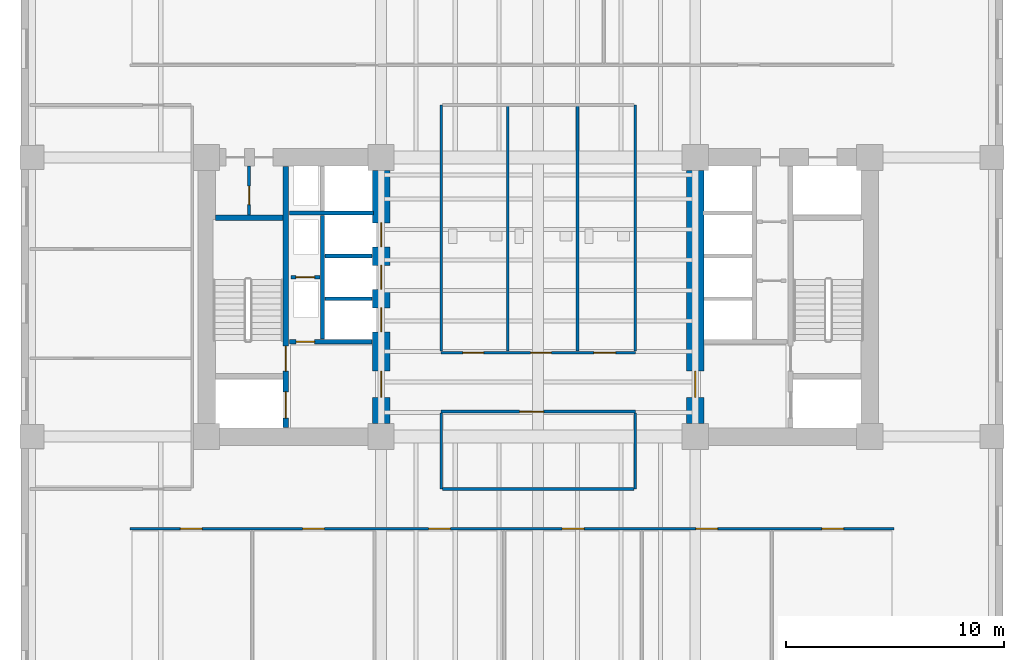
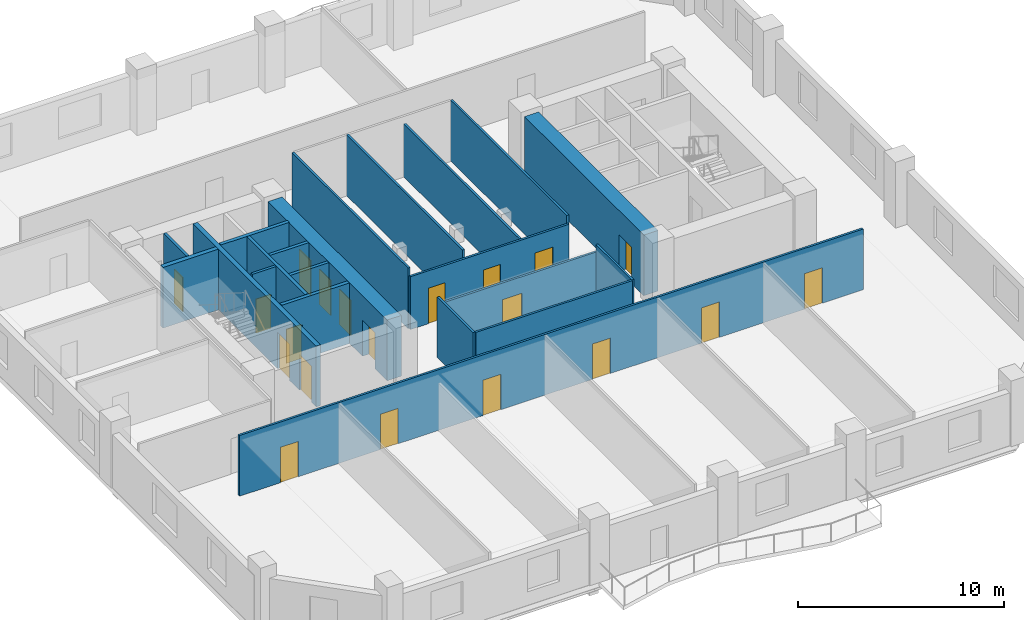
# One storey, part 3 of 10: 21 walls, 20 doors, 20 openings.
"""IFC4 building model written with IfcOpenShell, lengths in metres."""

from ifc_helpers import new_model, si_unit, direction, frame, frame_2d, origin, place, context, subcontext, project, spatial, rectangle, extrude, material, layer, layer_set, type_object, element, fill, save


model = new_model("IFC4")

# Units and contexts
model_context = context("Model", 3, precision=1e-05, world=origin(), true_north=direction((0.0, 1.0)))
body_context = subcontext(model_context, "Body", "Model", "MODEL_VIEW")
ifc_project = project(units=[si_unit("LENGTHUNIT", "METRE"), si_unit("AREAUNIT", "SQUARE_METRE"), si_unit("VOLUMEUNIT", "CUBIC_METRE"), si_unit("PLANEANGLEUNIT", "RADIAN"), si_unit("MASSUNIT", "GRAM", prefix="KILO")], contexts=[model_context])

# Site, building, storey
site_placement = place(None, origin())
site = spatial("IfcSite", under=ifc_project, at=site_placement, CompositionType="ELEMENT")
building_placement = place(site_placement, origin())
building = spatial("IfcBuilding", under=site, at=building_placement, Name="Kranthara Brick Stack", CompositionType="ELEMENT")
storey_placement = place(building_placement, frame((0.0, 0.0, 36.0)))
storey = spatial("IfcBuildingStorey", under=building, at=storey_placement, Name="L08", CompositionType="ELEMENT", Elevation=36.0)

# Wall, openings, doors
ifc_material_1 = material(Name="Concrete C50/60", Category="concrete")
ifc_layer_1 = layer(ifc_material_1, 0.25)
ifc_layer_set_1 = layer_set([ifc_layer_1], Name="Concrete C50/60")
wall_type_1 = type_object("IfcWallType", Name="WL-CORE-250", PredefinedType="SHEAR", material=ifc_layer_set_1)
wall_1_placement = place(storey_placement, frame((16.43505859375, 21.2099609375, 0.0), z_axis=(0.0, 0.0, 1.0), x_axis=(0.0, 1.0, 0.0)))
wall_1 = element("IfcWall", 1, at=wall_1_placement, inside=storey, type_object=wall_type_1, Name="L08 West Core Stair Bearing Spine Wall", PredefinedType="SHEAR", context=body_context, shape_type="SweptSolid", body=[
    extrude(rectangle(XDim=11.97998046875, YDim=0.25, at=frame_2d((5.989990234375, 0.0))), origin(), (0.0, 0.0, 1.0), 3.60009765625),
])
opening_1_placement = place(wall_1_placement, frame((0.43994140625, 0.0, 0.0)))
opening_1 = element("IfcOpeningElement", 2, at=opening_1_placement, cuts=wall_1, Name="Opening LD01", PredefinedType="OPENING", context=body_context, shape_type="SweptSolid", body=[
    extrude(rectangle(XDim=1.199951171875, YDim=2.14990234375, at=frame_2d((0.60009765625, 1.074951171875))), frame((0.0, 0.135009765625, 0.0), z_axis=(0.0, -1.0, 0.0), x_axis=(1.0, 0.0, 0.0)), (0.0, 0.0, 1.0), 0.27001953125),
])
opening_2_placement = place(wall_1_placement, frame((2.590087890625, 0.0, 0.0)))
opening_2 = element("IfcOpeningElement", 3, at=opening_2_placement, cuts=wall_1, Name="Opening D05", PredefinedType="OPENING", context=body_context, shape_type="SweptSolid", body=[
    extrude(rectangle(XDim=1.14990234375, YDim=2.14990234375, at=frame_2d((0.574951171875, 1.074951171875))), frame((0.0, 0.135009765625, 0.0), z_axis=(0.0, -1.0, 0.0), x_axis=(1.0, 0.0, 0.0)), (0.0, 0.0, 1.0), 0.27001953125),
])
ifc_material_2 = material(Name="Stainless steel sliding landing door", Category="steel")
door_type_1 = type_object("IfcDoorType", Name="DR-LD-FF1200", OperationType="DOUBLE_DOOR_SLIDING", PredefinedType="DOOR", material=ifc_material_2)
door_1_placement = place(opening_1_placement, origin())
door_1 = element("IfcDoor", 4, at=door_1_placement, inside=storey, type_object=door_type_1, Name="L08 Firefighting Lift FF-01 Landing Door", OperationType="DOUBLE_DOOR_SLIDING", OverallHeight=2.14990234375, OverallWidth=1.199951171875, PredefinedType="DOOR", context=body_context, shape_type="SweptSolid", body=[
    extrude(rectangle(XDim=1.199951171875, YDim=2.14990234375, at=frame_2d((0.60009765625, 1.074951171875))), frame((0.0, 0.02490234375, 0.0), z_axis=(0.0, -1.0, 0.0), x_axis=(1.0, 0.0, 0.0)), (0.0, 0.0, 1.0), 0.050048828125),
])
fill(opening_1, door_1)
ifc_material_3 = material(Name="Solid-core hardwood timber leaf in steel frame", Category="steel")
door_type_2 = type_object("IfcDoorType", Name="DR-ST-1150", OperationType="NOTDEFINED", PredefinedType="DOOR", material=ifc_material_3)
door_2_placement = place(opening_2_placement, origin())
door_2 = element("IfcDoor", 5, at=door_2_placement, inside=storey, type_object=door_type_2, Name="L08 Exit Stair ST01 Door", OperationType="SINGLE_SWING_RIGHT", OverallHeight=2.14990234375, OverallWidth=1.14990234375, PredefinedType="DOOR", context=body_context, shape_type="SweptSolid", body=[
    extrude(rectangle(XDim=1.14990234375, YDim=2.14990234375, at=frame_2d((0.574951171875, 1.074951171875))), frame((0.0, 0.02490234375, 0.0), z_axis=(0.0, -1.0, 0.0), x_axis=(1.0, 0.0, 0.0)), (0.0, 0.0, 1.0), 0.050048828125),
])
fill(opening_2, door_2)

# Wall
wall_2_placement = place(storey_placement, frame((13.2099609375, 30.830078125, 0.0), z_axis=(0.0, 0.0, 1.0), x_axis=(1.0, 0.0, 0.0)))
element("IfcWall", 6, at=wall_2_placement, inside=storey, type_object=wall_type_1, Name="L08 West Stairwell Bearing Wall WST", PredefinedType="SHEAR", context=body_context, shape_type="SweptSolid", body=[
    extrude(rectangle(XDim=3.10009765625, YDim=0.25, at=frame_2d((1.550048828125, 0.0))), origin(), (0.0, 0.0, 1.0), 3.60009765625),
])

# Wall, openings, doors
ifc_material_4 = material(Name="Concrete C70/85", Category="concrete")
ifc_layer_2 = layer(ifc_material_4, 0.800048828125)
ifc_layer_set_2 = layer_set([ifc_layer_2], Name="Concrete C70/85")
wall_type_2 = type_object("IfcWallType", Name="WL-CORE-800", PredefinedType="SHEAR", material=ifc_layer_set_2)
wall_3_placement = place(storey_placement, frame((20.800048828125, 21.405029296875, 0.0), z_axis=(0.0, 0.0, 1.0), x_axis=(0.0, 1.0, 0.0)))
wall_3 = element("IfcWall", 7, at=wall_3_placement, inside=storey, type_object=wall_type_2, Name="L08 West Core Shear Wall East", PredefinedType="SHEAR", context=body_context, shape_type="SweptSolid", body=[
    extrude(rectangle(XDim=11.590087890625, YDim=0.800048828125, at=frame_2d((5.794921875, 0.0))), origin(), (0.0, 0.0, 1.0), 3.60009765625),
])
opening_3_placement = place(wall_3_placement, frame((1.195068359375, 0.0, 0.0)))
opening_3 = element("IfcOpeningElement", 8, at=opening_3_placement, cuts=wall_3, Name="Opening D06", PredefinedType="OPENING", context=body_context, shape_type="SweptSolid", body=[
    extrude(rectangle(XDim=1.199951171875, YDim=2.14990234375, at=frame_2d((0.60009765625, 1.074951171875))), frame((0.0, 0.409912109375, 0.0), z_axis=(0.0, -1.0, 0.0), x_axis=(1.0, 0.0, 0.0)), (0.0, 0.0, 1.0), 0.820068359375),
])
opening_4_placement = place(wall_3_placement, frame((4.195068359375, 0.0, 0.0)))
opening_4 = element("IfcOpeningElement", 9, at=opening_4_placement, cuts=wall_3, Name="Opening LD02", PredefinedType="OPENING", context=body_context, shape_type="SweptSolid", body=[
    extrude(rectangle(XDim=1.10009765625, YDim=2.10009765625, at=frame_2d((0.550048828125, 1.050048828125))), frame((0.0, 0.409912109375, 0.0), z_axis=(0.0, -1.0, 0.0), x_axis=(1.0, 0.0, 0.0)), (0.0, 0.0, 1.0), 0.820068359375),
])
opening_5_placement = place(wall_3_placement, frame((6.14501953125, 0.0, 0.0)))
opening_5 = element("IfcOpeningElement", 10, at=opening_5_placement, cuts=wall_3, Name="Opening LD02", PredefinedType="OPENING", context=body_context, shape_type="SweptSolid", body=[
    extrude(rectangle(XDim=1.10009765625, YDim=2.10009765625, at=frame_2d((0.550048828125, 1.050048828125))), frame((0.0, 0.409912109375, 0.0), z_axis=(0.0, -1.0, 0.0), x_axis=(1.0, 0.0, 0.0)), (0.0, 0.0, 1.0), 0.820068359375),
])
opening_6_placement = place(wall_3_placement, frame((8.094970703125, 0.0, 0.0)))
opening_6 = element("IfcOpeningElement", 11, at=opening_6_placement, cuts=wall_3, Name="Opening LD02", PredefinedType="OPENING", context=body_context, shape_type="SweptSolid", body=[
    extrude(rectangle(XDim=1.10009765625, YDim=2.10009765625, at=frame_2d((0.550048828125, 1.050048828125))), frame((0.0, 0.409912109375, 0.0), z_axis=(0.0, -1.0, 0.0), x_axis=(1.0, 0.0, 0.0)), (0.0, 0.0, 1.0), 0.820068359375),
])
ifc_material_5 = material(Name="Solid-core hardwood timber leaf in steel frame", Category="steel")
door_type_3 = type_object("IfcDoorType", Name="DR-FFL-1200", OperationType="NOTDEFINED", PredefinedType="DOOR", material=ifc_material_5)
door_3_placement = place(opening_3_placement, origin())
door_3 = element("IfcDoor", 12, at=door_3_placement, inside=storey, type_object=door_type_3, Name="L08 West Firefighting Lobby Door", OperationType="SINGLE_SWING_LEFT", OverallHeight=2.14990234375, OverallWidth=1.199951171875, PredefinedType="DOOR", context=body_context, shape_type="SweptSolid", body=[
    extrude(rectangle(XDim=1.199951171875, YDim=2.14990234375, at=frame_2d((0.60009765625, 1.074951171875))), frame((0.0, 0.02490234375, 0.0), z_axis=(0.0, -1.0, 0.0), x_axis=(1.0, 0.0, 0.0)), (0.0, 0.0, 1.0), 0.050048828125),
])
fill(opening_3, door_3)
ifc_material_6 = material(Name="Stainless steel sliding landing door", Category="steel")
door_type_4 = type_object("IfcDoorType", Name="DR-LD-PL1100", OperationType="DOUBLE_DOOR_SLIDING", PredefinedType="DOOR", material=ifc_material_6)
door_4_placement = place(opening_4_placement, origin())
door_4 = element("IfcDoor", 13, at=door_4_placement, inside=storey, type_object=door_type_4, Name="L08 PL-01 Lift Landing Door", OperationType="DOUBLE_DOOR_SLIDING", OverallHeight=2.10009765625, OverallWidth=1.10009765625, PredefinedType="DOOR", context=body_context, shape_type="SweptSolid", body=[
    extrude(rectangle(XDim=1.10009765625, YDim=2.10009765625, at=frame_2d((0.550048828125, 1.050048828125))), frame((0.0, 0.02490234375, 0.0), z_axis=(0.0, -1.0, 0.0), x_axis=(1.0, 0.0, 0.0)), (0.0, 0.0, 1.0), 0.050048828125),
])
fill(opening_4, door_4)
door_5_placement = place(opening_5_placement, origin())
door_5 = element("IfcDoor", 14, at=door_5_placement, inside=storey, type_object=door_type_4, Name="L08 PL-02 Lift Landing Door", OperationType="DOUBLE_DOOR_SLIDING", OverallHeight=2.10009765625, OverallWidth=1.10009765625, PredefinedType="DOOR", context=body_context, shape_type="SweptSolid", body=[
    extrude(rectangle(XDim=1.10009765625, YDim=2.10009765625, at=frame_2d((0.550048828125, 1.050048828125))), frame((0.0, 0.02490234375, 0.0), z_axis=(0.0, -1.0, 0.0), x_axis=(1.0, 0.0, 0.0)), (0.0, 0.0, 1.0), 0.050048828125),
])
fill(opening_5, door_5)
door_6_placement = place(opening_6_placement, origin())
door_6 = element("IfcDoor", 15, at=door_6_placement, inside=storey, type_object=door_type_4, Name="L08 PL-03 Lift Landing Door", OperationType="DOUBLE_DOOR_SLIDING", OverallHeight=2.10009765625, OverallWidth=1.10009765625, PredefinedType="DOOR", context=body_context, shape_type="SweptSolid", body=[
    extrude(rectangle(XDim=1.10009765625, YDim=2.10009765625, at=frame_2d((0.550048828125, 1.050048828125))), frame((0.0, 0.02490234375, 0.0), z_axis=(0.0, -1.0, 0.0), x_axis=(1.0, 0.0, 0.0)), (0.0, 0.0, 1.0), 0.050048828125),
])
fill(opening_6, door_6)

# Wall, opening, door
wall_4_placement = place(storey_placement, frame((35.199951171875, 21.405029296875, 0.0), z_axis=(0.0, 0.0, 1.0), x_axis=(0.0, 1.0, 0.0)))
wall_4 = element("IfcWall", 16, at=wall_4_placement, inside=storey, type_object=wall_type_2, Name="L08 East Core Shear Wall West", PredefinedType="SHEAR", context=body_context, shape_type="SweptSolid", body=[
    extrude(rectangle(XDim=11.590087890625, YDim=0.800048828125, at=frame_2d((5.794921875, 0.0))), origin(), (0.0, 0.0, 1.0), 3.60009765625),
])
opening_7_placement = place(wall_4_placement, frame((1.195068359375, 0.0, 0.0)))
opening_7 = element("IfcOpeningElement", 17, at=opening_7_placement, cuts=wall_4, Name="Opening D06", PredefinedType="OPENING", context=body_context, shape_type="SweptSolid", body=[
    extrude(rectangle(XDim=1.199951171875, YDim=2.14990234375, at=frame_2d((0.60009765625, 1.074951171875))), frame((0.0, 0.409912109375, 0.0), z_axis=(0.0, -1.0, 0.0), x_axis=(1.0, 0.0, 0.0)), (0.0, 0.0, 1.0), 0.820068359375),
])
door_7_placement = place(opening_7_placement, origin())
door_7 = element("IfcDoor", 18, at=door_7_placement, inside=storey, type_object=door_type_3, Name="L08 East Firefighting Lobby Door", OperationType="SINGLE_SWING_RIGHT", OverallHeight=2.14990234375, OverallWidth=1.199951171875, PredefinedType="DOOR", context=body_context, shape_type="SweptSolid", body=[
    extrude(rectangle(XDim=1.199951171875, YDim=2.14990234375, at=frame_2d((0.60009765625, 1.074951171875))), frame((0.0, 0.02490234375, 0.0), z_axis=(0.0, -1.0, 0.0), x_axis=(1.0, 0.0, 0.0)), (0.0, 0.0, 1.0), 0.050048828125),
])
fill(opening_7, door_7)

# Wall, openings, doors
ifc_material_7 = material(Name="Acoustic gypsum plasterboard partition", Category="other")
ifc_layer_3 = layer(ifc_material_7, 0.1201171875)
ifc_layer_set_3 = layer_set([ifc_layer_3], Name="Acoustic gypsum plasterboard partition")
wall_type_3 = type_object("IfcWallType", Name="WL-PART-120", PredefinedType="PARTITIONING", material=ifc_layer_set_3)
wall_5_placement = place(storey_placement, frame((23.550048828125, 24.64990234375, 0.0), z_axis=(0.0, 0.0, 1.0), x_axis=(1.0, 0.0, 0.0)))
wall_5 = element("IfcWall", 19, at=wall_5_placement, inside=storey, type_object=wall_type_3, Name="L08 Interior Partition 005", PredefinedType="PARTITIONING", context=body_context, shape_type="SweptSolid", body=[
    extrude(rectangle(XDim=8.89990234375, YDim=0.1201171875, at=frame_2d((4.449951171875, 0.0))), origin(), (0.0, 0.0, 1.0), 3.135009765625),
])
opening_8_placement = place(wall_5_placement, frame((1.0, 0.0, 0.0)))
opening_8 = element("IfcOpeningElement", 20, at=opening_8_placement, cuts=wall_5, Name="Opening D14", PredefinedType="OPENING", context=body_context, shape_type="SweptSolid", body=[
    extrude(rectangle(XDim=0.949951171875, YDim=2.10009765625, at=frame_2d((0.47509765625, 1.050048828125))), frame((0.0, 0.070068359375, 0.0), z_axis=(0.0, -1.0, 0.0), x_axis=(1.0, 0.0, 0.0)), (0.0, 0.0, 1.0), 0.14013671875),
])
opening_9_placement = place(wall_5_placement, frame((4.10009765625, 0.0, 0.0)))
opening_9 = element("IfcOpeningElement", 21, at=opening_9_placement, cuts=wall_5, Name="Opening D14", PredefinedType="OPENING", context=body_context, shape_type="SweptSolid", body=[
    extrude(rectangle(XDim=0.949951171875, YDim=2.10009765625, at=frame_2d((0.47509765625, 1.050048828125))), frame((0.0, 0.070068359375, 0.0), z_axis=(0.0, -1.0, 0.0), x_axis=(1.0, 0.0, 0.0)), (0.0, 0.0, 1.0), 0.14013671875),
])
opening_10_placement = place(wall_5_placement, frame((7.0, 0.0, 0.0)))
opening_10 = element("IfcOpeningElement", 22, at=opening_10_placement, cuts=wall_5, Name="Opening D18", PredefinedType="OPENING", context=body_context, shape_type="SweptSolid", body=[
    extrude(rectangle(XDim=1.0, YDim=2.10009765625, at=frame_2d((0.5, 1.050048828125))), frame((0.0, 0.070068359375, 0.0), z_axis=(0.0, -1.0, 0.0), x_axis=(1.0, 0.0, 0.0)), (0.0, 0.0, 1.0), 0.14013671875),
])
ifc_material_8 = material(Name="Solid-core hardwood timber leaf in steel frame", Category="steel")
door_type_5 = type_object("IfcDoorType", Name="DR-ACC-1000", OperationType="NOTDEFINED", PredefinedType="DOOR", material=ifc_material_8)
door_8_placement = place(opening_10_placement, origin())
door_8 = element("IfcDoor", 23, at=door_8_placement, inside=storey, type_object=door_type_5, Name="L08 Accessible WC Door 07", OperationType="SINGLE_SWING_LEFT", OverallHeight=2.10009765625, OverallWidth=1.0, PredefinedType="DOOR", context=body_context, shape_type="SweptSolid", body=[
    extrude(rectangle(XDim=1.0, YDim=2.10009765625, at=frame_2d((0.5, 1.050048828125))), frame((0.0, 0.02490234375, 0.0), z_axis=(0.0, -1.0, 0.0), x_axis=(1.0, 0.0, 0.0)), (0.0, 0.0, 1.0), 0.050048828125),
])
fill(opening_10, door_8)
ifc_material_9 = material(Name="Solid-core hardwood timber leaf in steel frame", Category="steel")
door_type_6 = type_object("IfcDoorType", Name="DR-INT-950", OperationType="NOTDEFINED", PredefinedType="DOOR", material=ifc_material_9)
door_9_placement = place(opening_8_placement, origin())
door_9 = element("IfcDoor", 24, at=door_9_placement, inside=storey, type_object=door_type_6, Name="L08 Male WC Door 05", OperationType="SINGLE_SWING_LEFT", OverallHeight=2.10009765625, OverallWidth=0.949951171875, PredefinedType="DOOR", context=body_context, shape_type="SweptSolid", body=[
    extrude(rectangle(XDim=0.949951171875, YDim=2.10009765625, at=frame_2d((0.47509765625, 1.050048828125))), frame((0.0, 0.02490234375, 0.0), z_axis=(0.0, -1.0, 0.0), x_axis=(1.0, 0.0, 0.0)), (0.0, 0.0, 1.0), 0.050048828125),
])
fill(opening_8, door_9)
door_10_placement = place(opening_9_placement, origin())
door_10 = element("IfcDoor", 25, at=door_10_placement, inside=storey, type_object=door_type_6, Name="L08 Female WC Door 06", OperationType="SINGLE_SWING_RIGHT", OverallHeight=2.10009765625, OverallWidth=0.949951171875, PredefinedType="DOOR", context=body_context, shape_type="SweptSolid", body=[
    extrude(rectangle(XDim=0.949951171875, YDim=2.10009765625, at=frame_2d((0.47509765625, 1.050048828125))), frame((0.0, 0.02490234375, 0.0), z_axis=(0.0, -1.0, 0.0), x_axis=(1.0, 0.0, 0.0)), (0.0, 0.0, 1.0), 0.050048828125),
])
fill(opening_9, door_10)

# Walls
for number, where, z_axis, x_axis, name in (
    (26, (23.550048828125, 24.715087890625, 0.0), (0.0, 0.0, 1.0), (0.0, 1.0, 0.0), "L08 Interior Partition 006"),
    (27, (32.449951171875, 24.715087890625, 0.0), (0.0, 0.0, 1.0), (0.0, 1.0, 0.0), "L08 Interior Partition 007"),
    (28, (26.60009765625, 24.715087890625, 0.0), (0.0, 0.0, 1.0), (0.0, 1.0, 0.0), "L08 Interior Partition 008"),
):
    element("IfcWall", number, at=place(storey_placement, frame(where, z_axis=z_axis, x_axis=x_axis)), inside=storey, type_object=wall_type_3, Name=name, PredefinedType="PARTITIONING", context=body_context, shape_type="SweptSolid", body=[
        extrude(rectangle(XDim=11.284912109375, YDim=0.1201171875, at=frame_2d((5.642578125, 0.0))), origin(), (0.0, 0.0, 1.0), 3.60009765625),
    ])
wall_6_placement = place(storey_placement, frame((29.800048828125, 24.715087890625, 0.0), z_axis=(0.0, 0.0, 1.0), x_axis=(0.0, 1.0, 0.0)))
element("IfcWall", 29, at=wall_6_placement, inside=storey, type_object=wall_type_3, Name="L08 Interior Partition 009", PredefinedType="PARTITIONING", context=body_context, shape_type="SweptSolid", body=[
    extrude(rectangle(XDim=11.284912109375, YDim=0.1201171875, at=frame_2d((5.642578125, 0.0))), origin(), (0.0, 0.0, 1.0), 3.135009765625),
])

# Wall, opening, door
wall_7_placement = place(storey_placement, frame((23.550048828125, 21.949951171875, 0.0), z_axis=(0.0, 0.0, 1.0), x_axis=(1.0, 0.0, 0.0)))
wall_7 = element("IfcWall", 30, at=wall_7_placement, inside=storey, type_object=wall_type_3, Name="L08 Interior Partition 011", PredefinedType="PARTITIONING", context=body_context, shape_type="SweptSolid", body=[
    extrude(rectangle(XDim=8.89990234375, YDim=0.1201171875, at=frame_2d((4.449951171875, 0.0))), origin(), (0.0, 0.0, 1.0), 3.135009765625),
])
opening_11_placement = place(wall_7_placement, frame((3.60009765625, 0.0, 0.0)))
opening_11 = element("IfcOpeningElement", 31, at=opening_11_placement, cuts=wall_7, Name="Opening D11", PredefinedType="OPENING", context=body_context, shape_type="SweptSolid", body=[
    extrude(rectangle(XDim=1.10009765625, YDim=2.14990234375, at=frame_2d((0.550048828125, 1.074951171875))), frame((0.0, 0.070068359375, 0.0), z_axis=(0.0, -1.0, 0.0), x_axis=(1.0, 0.0, 0.0)), (0.0, 0.0, 1.0), 0.14013671875),
])
ifc_material_10 = material(Name="Solid-core hardwood timber leaf in steel frame", Category="steel")
door_type_7 = type_object("IfcDoorType", Name="DR-INT-1100", OperationType="NOTDEFINED", PredefinedType="DOOR", material=ifc_material_10)
door_11_placement = place(opening_11_placement, origin())
door_11 = element("IfcDoor", 32, at=door_11_placement, inside=storey, type_object=door_type_7, Name="L08 Internal Briefing Room 08", OperationType="SINGLE_SWING_RIGHT", OverallHeight=2.14990234375, OverallWidth=1.10009765625, PredefinedType="DOOR", context=body_context, shape_type="SweptSolid", body=[
    extrude(rectangle(XDim=1.10009765625, YDim=2.14990234375, at=frame_2d((0.550048828125, 1.074951171875))), frame((0.0, 0.02490234375, 0.0), z_axis=(0.0, -1.0, 0.0), x_axis=(1.0, 0.0, 0.0)), (0.0, 0.0, 1.0), 0.050048828125),
])
fill(opening_11, door_11)

# Walls
for number, where, z_axis, x_axis, name in (
    (33, (23.550048828125, 18.39990234375, 0.0), (0.0, 0.0, 1.0), (0.0, 1.0, 0.0), "L08 Interior Partition 012"),
    (34, (32.449951171875, 18.39990234375, 0.0), (0.0, 0.0, 1.0), (0.0, 1.0, 0.0), "L08 Interior Partition 013"),
):
    element("IfcWall", number, at=place(storey_placement, frame(where, z_axis=z_axis, x_axis=x_axis)), inside=storey, type_object=wall_type_3, Name=name, PredefinedType="PARTITIONING", context=body_context, shape_type="SweptSolid", body=[
        extrude(rectangle(XDim=3.485107421875, YDim=0.1201171875, at=frame_2d((1.74267578125, 0.0))), origin(), (0.0, 0.0, 1.0), 3.60009765625),
    ])
wall_8_placement = place(storey_placement, frame((23.614990234375, 18.39990234375, 0.0), z_axis=(0.0, 0.0, 1.0), x_axis=(1.0, 0.0, 0.0)))
element("IfcWall", 35, at=wall_8_placement, inside=storey, type_object=wall_type_3, Name="L08 Interior Partition 014", PredefinedType="PARTITIONING", context=body_context, shape_type="SweptSolid", body=[
    extrude(rectangle(XDim=8.77001953125, YDim=0.1201171875, at=frame_2d((4.385009765625, 0.0))), origin(), (0.0, 0.0, 1.0), 3.60009765625),
])

# Wall, openings, doors
wall_9_placement = place(storey_placement, frame((9.300048828125, 16.580078125, 0.0), z_axis=(0.0, 0.0, 1.0), x_axis=(1.0, 0.0, 0.0)))
wall_9 = element("IfcWall", 36, at=wall_9_placement, inside=storey, type_object=wall_type_3, Name="L08 Interior Partition 015", PredefinedType="PARTITIONING", context=body_context, shape_type="SweptSolid", body=[
    extrude(rectangle(XDim=35.0, YDim=0.1201171875, at=frame_2d((17.5, 0.0))), origin(), (0.0, 0.0, 1.0), 3.60009765625),
])
opening_12_placement = place(wall_9_placement, frame((2.300048828125, 0.0, 0.0)))
opening_12 = element("IfcOpeningElement", 37, at=opening_12_placement, cuts=wall_9, Name="Opening D13", PredefinedType="OPENING", context=body_context, shape_type="SweptSolid", body=[
    extrude(rectangle(XDim=1.0, YDim=2.10009765625, at=frame_2d((0.5, 1.050048828125))), frame((0.0, 0.070068359375, 0.0), z_axis=(0.0, -1.0, 0.0), x_axis=(1.0, 0.0, 0.0)), (0.0, 0.0, 1.0), 0.14013671875),
])
opening_13_placement = place(wall_9_placement, frame((7.89990234375, 0.0, 0.0)))
opening_13 = element("IfcOpeningElement", 38, at=opening_13_placement, cuts=wall_9, Name="Opening D13", PredefinedType="OPENING", context=body_context, shape_type="SweptSolid", body=[
    extrude(rectangle(XDim=1.0, YDim=2.10009765625, at=frame_2d((0.5, 1.050048828125))), frame((0.0, 0.070068359375, 0.0), z_axis=(0.0, -1.0, 0.0), x_axis=(1.0, 0.0, 0.0)), (0.0, 0.0, 1.0), 0.14013671875),
])
opening_14_placement = place(wall_9_placement, frame((13.675048828125, 0.0, 0.0)))
opening_14 = element("IfcOpeningElement", 39, at=opening_14_placement, cuts=wall_9, Name="Opening D13", PredefinedType="OPENING", context=body_context, shape_type="SweptSolid", body=[
    extrude(rectangle(XDim=1.0, YDim=2.10009765625, at=frame_2d((0.5, 1.050048828125))), frame((0.0, 0.070068359375, 0.0), z_axis=(0.0, -1.0, 0.0), x_axis=(1.0, 0.0, 0.0)), (0.0, 0.0, 1.0), 0.14013671875),
])
opening_15_placement = place(wall_9_placement, frame((19.800048828125, 0.0, 0.0)))
opening_15 = element("IfcOpeningElement", 40, at=opening_15_placement, cuts=wall_9, Name="Opening D13", PredefinedType="OPENING", context=body_context, shape_type="SweptSolid", body=[
    extrude(rectangle(XDim=1.0, YDim=2.10009765625, at=frame_2d((0.5, 1.050048828125))), frame((0.0, 0.070068359375, 0.0), z_axis=(0.0, -1.0, 0.0), x_axis=(1.0, 0.0, 0.0)), (0.0, 0.0, 1.0), 0.14013671875),
])
opening_16_placement = place(wall_9_placement, frame((25.925048828125, 0.0, 0.0)))
opening_16 = element("IfcOpeningElement", 41, at=opening_16_placement, cuts=wall_9, Name="Opening D13", PredefinedType="OPENING", context=body_context, shape_type="SweptSolid", body=[
    extrude(rectangle(XDim=1.0, YDim=2.10009765625, at=frame_2d((0.5, 1.050048828125))), frame((0.0, 0.070068359375, 0.0), z_axis=(0.0, -1.0, 0.0), x_axis=(1.0, 0.0, 0.0)), (0.0, 0.0, 1.0), 0.14013671875),
])
opening_17_placement = place(wall_9_placement, frame((31.699951171875, 0.0, 0.0)))
opening_17 = element("IfcOpeningElement", 42, at=opening_17_placement, cuts=wall_9, Name="Opening D13", PredefinedType="OPENING", context=body_context, shape_type="SweptSolid", body=[
    extrude(rectangle(XDim=1.0, YDim=2.10009765625, at=frame_2d((0.5, 1.050048828125))), frame((0.0, 0.070068359375, 0.0), z_axis=(0.0, -1.0, 0.0), x_axis=(1.0, 0.0, 0.0)), (0.0, 0.0, 1.0), 0.14013671875),
])
ifc_material_11 = material(Name="Solid-core hardwood timber leaf in steel frame", Category="steel")
door_type_8 = type_object("IfcDoorType", Name="DR-INT-1000", OperationType="NOTDEFINED", PredefinedType="DOOR", material=ifc_material_11)
door_12_placement = place(opening_12_placement, origin())
door_12 = element("IfcDoor", 43, at=door_12_placement, inside=storey, type_object=door_type_8, Name="L08 Executive Cellular Office 09", OperationType="SINGLE_SWING_LEFT", OverallHeight=2.10009765625, OverallWidth=1.0, PredefinedType="DOOR", context=body_context, shape_type="SweptSolid", body=[
    extrude(rectangle(XDim=1.0, YDim=2.10009765625, at=frame_2d((0.5, 1.050048828125))), frame((0.0, 0.02490234375, 0.0), z_axis=(0.0, -1.0, 0.0), x_axis=(1.0, 0.0, 0.0)), (0.0, 0.0, 1.0), 0.050048828125),
])
fill(opening_12, door_12)
door_13_placement = place(opening_13_placement, origin())
door_13 = element("IfcDoor", 44, at=door_13_placement, inside=storey, type_object=door_type_8, Name="L08 Executive Cellular Office 10", OperationType="SINGLE_SWING_RIGHT", OverallHeight=2.10009765625, OverallWidth=1.0, PredefinedType="DOOR", context=body_context, shape_type="SweptSolid", body=[
    extrude(rectangle(XDim=1.0, YDim=2.10009765625, at=frame_2d((0.5, 1.050048828125))), frame((0.0, 0.02490234375, 0.0), z_axis=(0.0, -1.0, 0.0), x_axis=(1.0, 0.0, 0.0)), (0.0, 0.0, 1.0), 0.050048828125),
])
fill(opening_13, door_13)
door_14_placement = place(opening_14_placement, origin())
door_14 = element("IfcDoor", 45, at=door_14_placement, inside=storey, type_object=door_type_8, Name="L08 Meeting Room 11", OperationType="SINGLE_SWING_LEFT", OverallHeight=2.10009765625, OverallWidth=1.0, PredefinedType="DOOR", context=body_context, shape_type="SweptSolid", body=[
    extrude(rectangle(XDim=1.0, YDim=2.10009765625, at=frame_2d((0.5, 1.050048828125))), frame((0.0, 0.02490234375, 0.0), z_axis=(0.0, -1.0, 0.0), x_axis=(1.0, 0.0, 0.0)), (0.0, 0.0, 1.0), 0.050048828125),
])
fill(opening_14, door_14)
door_15_placement = place(opening_15_placement, origin())
door_15 = element("IfcDoor", 46, at=door_15_placement, inside=storey, type_object=door_type_8, Name="L08 Meeting Room 12", OperationType="SINGLE_SWING_RIGHT", OverallHeight=2.10009765625, OverallWidth=1.0, PredefinedType="DOOR", context=body_context, shape_type="SweptSolid", body=[
    extrude(rectangle(XDim=1.0, YDim=2.10009765625, at=frame_2d((0.5, 1.050048828125))), frame((0.0, 0.02490234375, 0.0), z_axis=(0.0, -1.0, 0.0), x_axis=(1.0, 0.0, 0.0)), (0.0, 0.0, 1.0), 0.050048828125),
])
fill(opening_15, door_15)
door_16_placement = place(opening_16_placement, origin())
door_16 = element("IfcDoor", 47, at=door_16_placement, inside=storey, type_object=door_type_8, Name="L08 Meeting Room 13", OperationType="SINGLE_SWING_LEFT", OverallHeight=2.10009765625, OverallWidth=1.0, PredefinedType="DOOR", context=body_context, shape_type="SweptSolid", body=[
    extrude(rectangle(XDim=1.0, YDim=2.10009765625, at=frame_2d((0.5, 1.050048828125))), frame((0.0, 0.02490234375, 0.0), z_axis=(0.0, -1.0, 0.0), x_axis=(1.0, 0.0, 0.0)), (0.0, 0.0, 1.0), 0.050048828125),
])
fill(opening_16, door_16)
door_17_placement = place(opening_17_placement, origin())
door_17 = element("IfcDoor", 48, at=door_17_placement, inside=storey, type_object=door_type_8, Name="L08 Boardroom 14", OperationType="SINGLE_SWING_RIGHT", OverallHeight=2.10009765625, OverallWidth=1.0, PredefinedType="DOOR", context=body_context, shape_type="SweptSolid", body=[
    extrude(rectangle(XDim=1.0, YDim=2.10009765625, at=frame_2d((0.5, 1.050048828125))), frame((0.0, 0.02490234375, 0.0), z_axis=(0.0, -1.0, 0.0), x_axis=(1.0, 0.0, 0.0)), (0.0, 0.0, 1.0), 0.050048828125),
])
fill(opening_17, door_17)

# Wall, opening, door
ifc_material_12 = material(Name="Fire-rated gypsum board partition", Category="other")
ifc_layer_4 = layer(ifc_material_12, 0.14990234375)
ifc_layer_set_4 = layer_set([ifc_layer_4], Name="Fire-rated gypsum board partition")
wall_type_4 = type_object("IfcWallType", Name="WL-PART-150", PredefinedType="PARTITIONING", material=ifc_layer_set_4)
wall_10_placement = place(storey_placement, frame((14.75, 30.9599609375, 0.0), z_axis=(0.0, 0.0, 1.0), x_axis=(0.0, 1.0, 0.0)))
wall_10 = element("IfcWall", 49, at=wall_10_placement, inside=storey, type_object=wall_type_4, Name="L08 Interior Partition 001", PredefinedType="PARTITIONING", context=body_context, shape_type="SweptSolid", body=[
    extrude(rectangle(XDim=2.235107421875, YDim=0.14990234375, at=frame_2d((1.11767578125, 0.0))), origin(), (0.0, 0.0, 1.0), 3.60009765625),
])
opening_18_placement = place(wall_10_placement, frame((0.469970703125, 0.0, 0.0)))
opening_18 = element("IfcOpeningElement", 50, at=opening_18_placement, cuts=wall_10, Name="Opening D10", PredefinedType="OPENING", context=body_context, shape_type="SweptSolid", body=[
    extrude(rectangle(XDim=0.85009765625, YDim=2.02001953125, at=frame_2d((0.425048828125, 1.010009765625))), frame((0.0, 0.0849609375, 0.0), z_axis=(0.0, -1.0, 0.0), x_axis=(1.0, 0.0, 0.0)), (0.0, 0.0, 1.0), 0.169921875),
])
ifc_material_13 = material(Name="Solid-core hardwood timber leaf in steel frame", Category="steel")
door_type_9 = type_object("IfcDoorType", Name="DR-RSR-850", OperationType="NOTDEFINED", PredefinedType="DOOR", material=ifc_material_13)
door_18_placement = place(opening_18_placement, origin())
door_18 = element("IfcDoor", 51, at=door_18_placement, inside=storey, type_object=door_type_9, Name="L08 Service Interconnect 01", OperationType="SINGLE_SWING_LEFT", OverallHeight=2.02001953125, OverallWidth=0.85009765625, PredefinedType="DOOR", context=body_context, shape_type="SweptSolid", body=[
    extrude(rectangle(XDim=0.85009765625, YDim=2.02001953125, at=frame_2d((0.425048828125, 1.010009765625))), frame((0.0, 0.02490234375, 0.0), z_axis=(0.0, -1.0, 0.0), x_axis=(1.0, 0.0, 0.0)), (0.0, 0.0, 1.0), 0.050048828125),
])
fill(opening_18, door_18)

wall_11_placement = place(storey_placement, frame((16.679931640625, 28.10009765625, 0.0), z_axis=(0.0, 0.0, 1.0), x_axis=(1.0, 0.0, 0.0)))
wall_11 = element("IfcWall", 52, at=wall_11_placement, inside=storey, type_object=wall_type_4, Name="L08 Interior Partition 004", PredefinedType="PARTITIONING", context=body_context, shape_type="SweptSolid", body=[
    extrude(rectangle(XDim=1.320068359375, YDim=0.14990234375, at=frame_2d((0.66015625, 0.0))), origin(), (0.0, 0.0, 1.0), 3.60009765625),
])
opening_19_placement = place(wall_11_placement, frame((0.219970703125, 0.0, 0.0)))
opening_19 = element("IfcOpeningElement", 53, at=opening_19_placement, cuts=wall_11, Name="Opening D10", PredefinedType="OPENING", context=body_context, shape_type="SweptSolid", body=[
    extrude(rectangle(XDim=0.85009765625, YDim=2.02001953125, at=frame_2d((0.425048828125, 1.010009765625))), frame((0.0, 0.0849609375, 0.0), z_axis=(0.0, -1.0, 0.0), x_axis=(1.0, 0.0, 0.0)), (0.0, 0.0, 1.0), 0.169921875),
])
door_19_placement = place(opening_19_placement, origin())
door_19 = element("IfcDoor", 54, at=door_19_placement, inside=storey, type_object=door_type_9, Name="L08 Riser Split Door 04", OperationType="SINGLE_SWING_RIGHT", OverallHeight=2.02001953125, OverallWidth=0.85009765625, PredefinedType="DOOR", context=body_context, shape_type="SweptSolid", body=[
    extrude(rectangle(XDim=0.85009765625, YDim=2.02001953125, at=frame_2d((0.425048828125, 1.010009765625))), frame((0.0, 0.02490234375, 0.0), z_axis=(0.0, -1.0, 0.0), x_axis=(1.0, 0.0, 0.0)), (0.0, 0.0, 1.0), 0.050048828125),
])
fill(opening_19, door_19)

# Walls
ifc_material_14 = material(Name="Gypsum plasterboard on acoustic twin stud", Category="other")
ifc_layer_5 = layer(ifc_material_14, 0.179931640625)
ifc_layer_set_5 = layer_set([ifc_layer_5], Name="Gypsum plasterboard on acoustic twin stud")
wall_type_5 = type_object("IfcWallType", Name="WL-PART-180", PredefinedType="PARTITIONING", material=ifc_layer_set_5)
wall_12_placement = place(storey_placement, frame((18.1201171875, 25.27001953125, 0.0), z_axis=(0.0, 0.0, 1.0), x_axis=(0.0, 1.0, 0.0)))
element("IfcWall", 55, at=wall_12_placement, inside=storey, type_object=wall_type_5, Name="L08 West Hoistway Wall WBK", PredefinedType="PARTITIONING", context=body_context, shape_type="SweptSolid", body=[
    extrude(rectangle(XDim=5.659912109375, YDim=0.179931640625, at=frame_2d((2.830078125, 0.0))), origin(), (0.0, 0.0, 1.0), 3.60009765625),
])
for number, where, z_axis, x_axis, name in (
    (56, (18.219970703125, 27.1201171875, 0.0), (0.0, 0.0, 1.0), (1.0, 0.0, 0.0), "L08 West Hoistway Wall WH1"),
    (57, (18.219970703125, 29.080078125, 0.0), (0.0, 0.0, 1.0), (1.0, 0.0, 0.0), "L08 West Hoistway Wall WH2"),
):
    element("IfcWall", number, at=place(storey_placement, frame(where, z_axis=z_axis, x_axis=x_axis)), inside=storey, type_object=wall_type_5, Name=name, PredefinedType="PARTITIONING", context=body_context, shape_type="SweptSolid", body=[
        extrude(rectangle(XDim=2.169921875, YDim=0.179931640625, at=frame_2d((1.0849609375, 0.0))), origin(), (0.0, 0.0, 1.0), 3.60009765625),
    ])

# Wall, opening, door
ifc_material_15 = material(Name="Concrete C40/50", Category="concrete")
ifc_layer_6 = layer(ifc_material_15, 0.199951171875)
ifc_layer_set_6 = layer_set([ifc_layer_6], Name="Concrete C40/50")
wall_type_6 = type_object("IfcWallType", Name="WL-PART-200", PredefinedType="SOLIDWALL", material=ifc_layer_set_6)
wall_13_placement = place(storey_placement, frame((16.60009765625, 25.14990234375, 0.0), z_axis=(0.0, 0.0, 1.0), x_axis=(1.0, 0.0, 0.0)))
wall_13 = element("IfcWall", 58, at=wall_13_placement, inside=storey, type_object=wall_type_6, Name="L08 West Core Cross Wall WFL", PredefinedType="SOLIDWALL", context=body_context, shape_type="SweptSolid", body=[
    extrude(rectangle(XDim=3.789794921875, YDim=0.199951171875, at=frame_2d((1.89501953125, 0.0))), origin(), (0.0, 0.0, 1.0), 3.60009765625),
])
opening_20_placement = place(wall_13_placement, frame((0.300048828125, 0.0, 0.0)))
opening_20 = element("IfcOpeningElement", 59, at=opening_20_placement, cuts=wall_13, Name="Opening D10", PredefinedType="OPENING", context=body_context, shape_type="SweptSolid", body=[
    extrude(rectangle(XDim=0.85009765625, YDim=2.02001953125, at=frame_2d((0.425048828125, 1.010009765625))), frame((0.0, 0.10986328125, 0.0), z_axis=(0.0, -1.0, 0.0), x_axis=(1.0, 0.0, 0.0)), (0.0, 0.0, 1.0), 0.219970703125),
])
door_20_placement = place(opening_20_placement, origin())
door_20 = element("IfcDoor", 60, at=door_20_placement, inside=storey, type_object=door_type_9, Name="L08 Mechanical Riser Access Door", OperationType="SINGLE_SWING_LEFT", OverallHeight=2.02001953125, OverallWidth=0.85009765625, PredefinedType="DOOR", context=body_context, shape_type="SweptSolid", body=[
    extrude(rectangle(XDim=0.85009765625, YDim=2.02001953125, at=frame_2d((0.425048828125, 1.010009765625))), frame((0.0, 0.02490234375, 0.0), z_axis=(0.0, -1.0, 0.0), x_axis=(1.0, 0.0, 0.0)), (0.0, 0.0, 1.0), 0.050048828125),
])
fill(opening_20, door_20)

# Wall
wall_14_placement = place(storey_placement, frame((16.60009765625, 31.050048828125, 0.0), z_axis=(0.0, 0.0, 1.0), x_axis=(1.0, 0.0, 0.0)))
element("IfcWall", 61, at=wall_14_placement, inside=storey, type_object=wall_type_6, Name="L08 West Core Cross Wall WH4", PredefinedType="SOLIDWALL", context=body_context, shape_type="SweptSolid", body=[
    extrude(rectangle(XDim=3.849853515625, YDim=0.199951171875, at=frame_2d((1.9248046875, 0.0))), origin(), (0.0, 0.0, 1.0), 3.60009765625),
])

save(model, "model.ifc")
